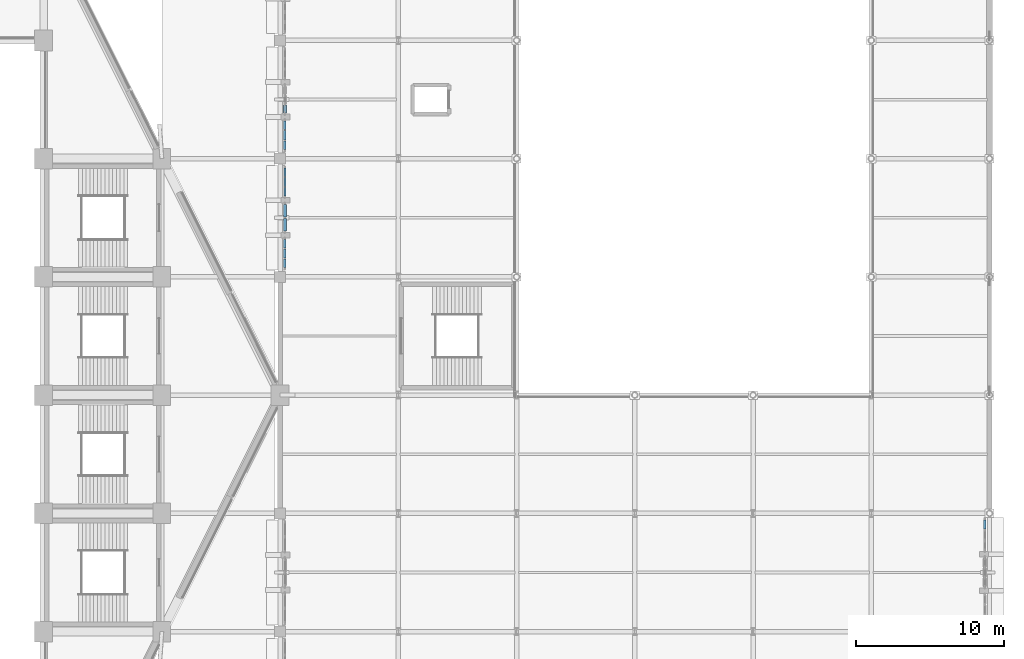
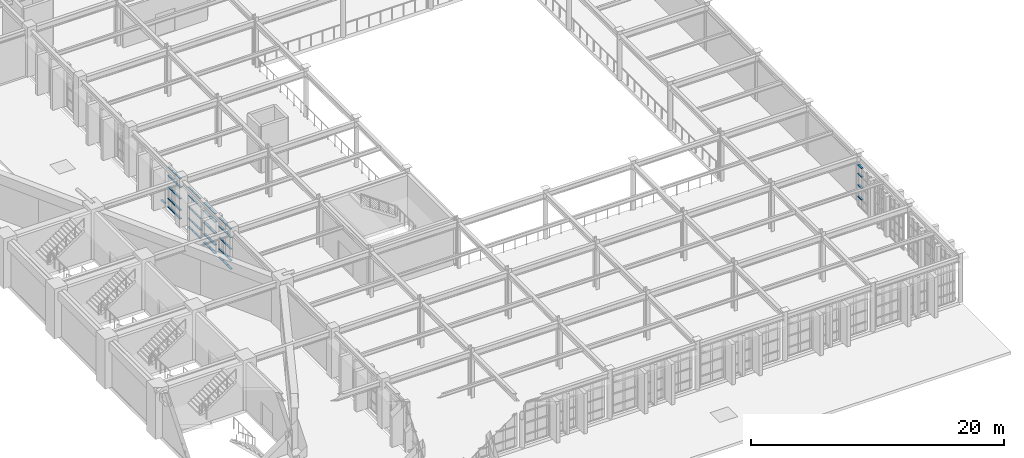
# One storey, part 79 of 155: 60 members, 6 elements without a shape of their own.
"""IFC4 building model written with IfcOpenShell, lengths in metres."""

from ifc_helpers import new_model, si_unit, direction, frame, origin, origin_2d, place, context, subcontext, project, spatial, rectangle, extrude, material, layer, layer_set, material_profile, profile_set, type_object, element, aggregate, save


model = new_model("IFC4")

# Units and contexts
model_context = context("Model", 3, precision=1e-05, world=origin(), true_north=direction((0.0, 1.0)))
body_context = subcontext(model_context, "Body", "Model", "MODEL_VIEW")
ifc_project = project(units=[si_unit("LENGTHUNIT", "METRE"), si_unit("AREAUNIT", "SQUARE_METRE"), si_unit("VOLUMEUNIT", "CUBIC_METRE"), si_unit("PLANEANGLEUNIT", "RADIAN"), si_unit("MASSUNIT", "GRAM", prefix="KILO")], contexts=[model_context])

# Site, building, storey
site_placement = place(None, origin())
site = spatial("IfcSite", under=ifc_project, at=site_placement, CompositionType="ELEMENT")
building_placement = place(site_placement, origin())
building = spatial("IfcBuilding", under=site, at=building_placement, Name="Tazarka Park Arena", CompositionType="ELEMENT")
storey_placement = place(building_placement, frame((0.0, 0.0, 5.39990234375)))
storey = spatial("IfcBuildingStorey", under=building, at=storey_placement, Name="L01", CompositionType="ELEMENT", Elevation=5.39990234375)

# Curtain wall, members
ifc_material_1 = material(Name="Aluminium and low-e glass", Category="aluminium")
ifc_layer_1 = layer(ifc_material_1, 0.179931640625, Name="Aluminium and low-e glass")
ifc_layer_set_1 = layer_set([ifc_layer_1], Name="Aluminium and low-e glass")
curtain_wall_type_1 = type_object("IfcCurtainWallType", Name="CW-09", PredefinedType="NOTDEFINED", material=ifc_layer_set_1)
curtain_wall_1_placement = place(storey_placement, origin())
curtain_wall_1 = element("IfcCurtainWall", 1, at=curtain_wall_1_placement, inside=storey, type_object=curtain_wall_type_1, Name="Curtain Wall CWA-L01-159", PredefinedType="NOTDEFINED")
ifc_material_2 = material(Name="Aluminium 6060-T66", Category="aluminium")
ifc_material_profile_1 = material_profile(ifc_material_2, rectangle(XDim=0.139892578125, YDim=0.06494140625, at=origin_2d()), Name="Aluminium 6060-T66")
ifc_profile_set_1 = profile_set([ifc_material_profile_1], Name="Aluminium 6060-T66")
member_type_1 = type_object("IfcMemberType", Name="CWT-01", PredefinedType="USERDEFINED", material=ifc_profile_set_1)
member_1_placement = place(storey_placement, frame((136.320068359375, 77.456787109375, 0.03271484375), z_axis=(0.0, 1.0, 0.0), x_axis=(-1.0, 0.0, 0.0)))
member_1 = element("IfcMember", 2, at=member_1_placement, type_object=member_type_1, Name="CW-09 transom 1.1", ObjectType="TRANSOM", PredefinedType="USERDEFINED", context=body_context, shape_type="SweptSolid", body=[
    extrude(rectangle(XDim=0.139892578125, YDim=0.06494140625, at=origin_2d()), origin(), (0.0, 0.0, 1.0), 0.5869140625),
])
member_2_placement = place(storey_placement, frame((136.320068359375, 77.456787109375, 0.85009765625), z_axis=(0.0, 1.0, 0.0), x_axis=(-1.0, 0.0, 0.0)))
member_2 = element("IfcMember", 3, at=member_2_placement, type_object=member_type_1, Name="CW-09 transom 1.2", ObjectType="TRANSOM", PredefinedType="USERDEFINED", context=body_context, shape_type="SweptSolid", body=[
    extrude(rectangle(XDim=0.139892578125, YDim=0.06494140625, at=origin_2d()), origin(), (0.0, 0.0, 1.0), 0.5869140625),
])
member_3_placement = place(storey_placement, frame((136.320068359375, 77.456787109375, 1.9501953125), z_axis=(0.0, 1.0, 0.0), x_axis=(-1.0, 0.0, 0.0)))
member_3 = element("IfcMember", 4, at=member_3_placement, type_object=member_type_1, Name="CW-09 transom 1.3", ObjectType="TRANSOM", PredefinedType="USERDEFINED", context=body_context, shape_type="SweptSolid", body=[
    extrude(rectangle(XDim=0.139892578125, YDim=0.06494140625, at=origin_2d()), origin(), (0.0, 0.0, 1.0), 0.5869140625),
])
member_4_placement = place(storey_placement, frame((136.320068359375, 77.456787109375, 3.050048828125), z_axis=(0.0, 1.0, 0.0), x_axis=(-1.0, 0.0, 0.0)))
member_4 = element("IfcMember", 5, at=member_4_placement, type_object=member_type_1, Name="CW-09 transom 1.4", ObjectType="TRANSOM", PredefinedType="USERDEFINED", context=body_context, shape_type="SweptSolid", body=[
    extrude(rectangle(XDim=0.139892578125, YDim=0.06494140625, at=origin_2d()), origin(), (0.0, 0.0, 1.0), 0.5869140625),
])
member_5_placement = place(storey_placement, frame((136.320068359375, 77.456787109375, 3.86767578125), z_axis=(0.0, 1.0, 0.0), x_axis=(-1.0, 0.0, 0.0)))
member_5 = element("IfcMember", 6, at=member_5_placement, type_object=member_type_1, Name="CW-09 transom 1.5", ObjectType="TRANSOM", PredefinedType="USERDEFINED", context=body_context, shape_type="SweptSolid", body=[
    extrude(rectangle(XDim=0.139892578125, YDim=0.06494140625, at=origin_2d()), origin(), (0.0, 0.0, 1.0), 0.5869140625),
])
member_6_placement = place(storey_placement, frame((136.320068359375, 78.108642578125, 0.03271484375), z_axis=(0.0, 1.0, 0.0), x_axis=(-1.0, 0.0, 0.0)))
member_6 = element("IfcMember", 7, at=member_6_placement, type_object=member_type_1, Name="CW-09 transom 2.1", ObjectType="TRANSOM", PredefinedType="USERDEFINED", context=body_context, shape_type="SweptSolid", body=[
    extrude(rectangle(XDim=0.139892578125, YDim=0.06494140625, at=origin_2d()), origin(), (0.0, 0.0, 1.0), 0.619384765625),
])
member_7_placement = place(storey_placement, frame((136.320068359375, 78.108642578125, 0.85009765625), z_axis=(0.0, 1.0, 0.0), x_axis=(-1.0, 0.0, 0.0)))
member_7 = element("IfcMember", 8, at=member_7_placement, type_object=member_type_1, Name="CW-09 transom 2.2", ObjectType="TRANSOM", PredefinedType="USERDEFINED", context=body_context, shape_type="SweptSolid", body=[
    extrude(rectangle(XDim=0.139892578125, YDim=0.06494140625, at=origin_2d()), origin(), (0.0, 0.0, 1.0), 0.619384765625),
])
member_8_placement = place(storey_placement, frame((136.320068359375, 78.108642578125, 1.9501953125), z_axis=(0.0, 1.0, 0.0), x_axis=(-1.0, 0.0, 0.0)))
member_8 = element("IfcMember", 9, at=member_8_placement, type_object=member_type_1, Name="CW-09 transom 2.3", ObjectType="TRANSOM", PredefinedType="USERDEFINED", context=body_context, shape_type="SweptSolid", body=[
    extrude(rectangle(XDim=0.139892578125, YDim=0.06494140625, at=origin_2d()), origin(), (0.0, 0.0, 1.0), 0.619384765625),
])
member_9_placement = place(storey_placement, frame((136.320068359375, 78.108642578125, 3.050048828125), z_axis=(0.0, 1.0, 0.0), x_axis=(-1.0, 0.0, 0.0)))
member_9 = element("IfcMember", 10, at=member_9_placement, type_object=member_type_1, Name="CW-09 transom 2.4", ObjectType="TRANSOM", PredefinedType="USERDEFINED", context=body_context, shape_type="SweptSolid", body=[
    extrude(rectangle(XDim=0.139892578125, YDim=0.06494140625, at=origin_2d()), origin(), (0.0, 0.0, 1.0), 0.619384765625),
])
member_10_placement = place(storey_placement, frame((136.320068359375, 78.108642578125, 3.86767578125), z_axis=(0.0, 1.0, 0.0), x_axis=(-1.0, 0.0, 0.0)))
member_10 = element("IfcMember", 11, at=member_10_placement, type_object=member_type_1, Name="CW-09 transom 2.5", ObjectType="TRANSOM", PredefinedType="USERDEFINED", context=body_context, shape_type="SweptSolid", body=[
    extrude(rectangle(XDim=0.139892578125, YDim=0.06494140625, at=origin_2d()), origin(), (0.0, 0.0, 1.0), 0.619384765625),
])
member_11_placement = place(storey_placement, frame((136.320068359375, 78.79296875, 0.03271484375), z_axis=(0.0, 1.0, 0.0), x_axis=(-1.0, 0.0, 0.0)))
member_11 = element("IfcMember", 12, at=member_11_placement, type_object=member_type_1, Name="CW-09 transom 3.1", ObjectType="TRANSOM", PredefinedType="USERDEFINED", context=body_context, shape_type="SweptSolid", body=[
    extrude(rectangle(XDim=0.139892578125, YDim=0.06494140625, at=origin_2d()), origin(), (0.0, 0.0, 1.0), 0.5869140625),
])
member_12_placement = place(storey_placement, frame((136.320068359375, 78.79296875, 0.85009765625), z_axis=(0.0, 1.0, 0.0), x_axis=(-1.0, 0.0, 0.0)))
member_12 = element("IfcMember", 13, at=member_12_placement, type_object=member_type_1, Name="CW-09 transom 3.2", ObjectType="TRANSOM", PredefinedType="USERDEFINED", context=body_context, shape_type="SweptSolid", body=[
    extrude(rectangle(XDim=0.139892578125, YDim=0.06494140625, at=origin_2d()), origin(), (0.0, 0.0, 1.0), 0.5869140625),
])
member_13_placement = place(storey_placement, frame((136.320068359375, 78.79296875, 1.9501953125), z_axis=(0.0, 1.0, 0.0), x_axis=(-1.0, 0.0, 0.0)))
member_13 = element("IfcMember", 14, at=member_13_placement, type_object=member_type_1, Name="CW-09 transom 3.3", ObjectType="TRANSOM", PredefinedType="USERDEFINED", context=body_context, shape_type="SweptSolid", body=[
    extrude(rectangle(XDim=0.139892578125, YDim=0.06494140625, at=origin_2d()), origin(), (0.0, 0.0, 1.0), 0.5869140625),
])
member_14_placement = place(storey_placement, frame((136.320068359375, 78.79296875, 3.050048828125), z_axis=(0.0, 1.0, 0.0), x_axis=(-1.0, 0.0, 0.0)))
member_14 = element("IfcMember", 15, at=member_14_placement, type_object=member_type_1, Name="CW-09 transom 3.4", ObjectType="TRANSOM", PredefinedType="USERDEFINED", context=body_context, shape_type="SweptSolid", body=[
    extrude(rectangle(XDim=0.139892578125, YDim=0.06494140625, at=origin_2d()), origin(), (0.0, 0.0, 1.0), 0.5869140625),
])
member_15_placement = place(storey_placement, frame((136.320068359375, 78.79296875, 3.86767578125), z_axis=(0.0, 1.0, 0.0), x_axis=(-1.0, 0.0, 0.0)))
member_15 = element("IfcMember", 16, at=member_15_placement, type_object=member_type_1, Name="CW-09 transom 3.5", ObjectType="TRANSOM", PredefinedType="USERDEFINED", context=body_context, shape_type="SweptSolid", body=[
    extrude(rectangle(XDim=0.139892578125, YDim=0.06494140625, at=origin_2d()), origin(), (0.0, 0.0, 1.0), 0.5869140625),
])
aggregate(curtain_wall_1, [member_1, member_2, member_3, member_4, member_5, member_6, member_7, member_8, member_9, member_10, member_11, member_12, member_13, member_14, member_15])

ifc_material_3 = material(Name="Aluminium and low-e glass", Category="aluminium")
ifc_layer_2 = layer(ifc_material_3, 0.179931640625, Name="Aluminium and low-e glass")
ifc_layer_set_2 = layer_set([ifc_layer_2], Name="Aluminium and low-e glass")
curtain_wall_type_2 = type_object("IfcCurtainWallType", Name="CW-04", PredefinedType="NOTDEFINED", material=ifc_layer_set_2)
curtain_wall_2_placement = place(storey_placement, origin())
curtain_wall_2 = element("IfcCurtainWall", 17, at=curtain_wall_2_placement, inside=storey, type_object=curtain_wall_type_2, Name="Curtain Wall CWA-L01-154", PredefinedType="NOTDEFINED")
ifc_material_4 = material(Name="Aluminium 6060-T66", Category="aluminium")
ifc_material_profile_2 = material_profile(ifc_material_4, rectangle(XDim=0.179931640625, YDim=0.06494140625, at=origin_2d()), Name="Aluminium 6060-T66")
ifc_profile_set_2 = profile_set([ifc_material_profile_2], Name="Aluminium 6060-T66")
member_type_2 = type_object("IfcMemberType", Name="CWT-02", PredefinedType="USERDEFINED", material=ifc_profile_set_2)
member_16_placement = place(storey_placement, frame((136.320068359375, 80.6201171875, 0.03271484375), z_axis=(0.0, 1.0, 0.0), x_axis=(-1.0, 0.0, 0.0)))
member_16 = element("IfcMember", 18, at=member_16_placement, type_object=member_type_2, Name="CW-04 transom 1.1", ObjectType="TRANSOM", PredefinedType="USERDEFINED", context=body_context, shape_type="SweptSolid", body=[
    extrude(rectangle(XDim=0.179931640625, YDim=0.06494140625, at=origin_2d()), origin(), (0.0, 0.0, 1.0), 0.5869140625),
])
member_17_placement = place(storey_placement, frame((136.320068359375, 80.6201171875, 0.85009765625), z_axis=(0.0, 1.0, 0.0), x_axis=(-1.0, 0.0, 0.0)))
member_17 = element("IfcMember", 19, at=member_17_placement, type_object=member_type_2, Name="CW-04 transom 1.2", ObjectType="TRANSOM", PredefinedType="USERDEFINED", context=body_context, shape_type="SweptSolid", body=[
    extrude(rectangle(XDim=0.179931640625, YDim=0.06494140625, at=origin_2d()), origin(), (0.0, 0.0, 1.0), 0.5869140625),
])
member_18_placement = place(storey_placement, frame((136.320068359375, 80.6201171875, 1.9501953125), z_axis=(0.0, 1.0, 0.0), x_axis=(-1.0, 0.0, 0.0)))
member_18 = element("IfcMember", 20, at=member_18_placement, type_object=member_type_2, Name="CW-04 transom 1.3", ObjectType="TRANSOM", PredefinedType="USERDEFINED", context=body_context, shape_type="SweptSolid", body=[
    extrude(rectangle(XDim=0.179931640625, YDim=0.06494140625, at=origin_2d()), origin(), (0.0, 0.0, 1.0), 0.5869140625),
])
member_19_placement = place(storey_placement, frame((136.320068359375, 80.6201171875, 3.050048828125), z_axis=(0.0, 1.0, 0.0), x_axis=(-1.0, 0.0, 0.0)))
member_19 = element("IfcMember", 21, at=member_19_placement, type_object=member_type_2, Name="CW-04 transom 1.4", ObjectType="TRANSOM", PredefinedType="USERDEFINED", context=body_context, shape_type="SweptSolid", body=[
    extrude(rectangle(XDim=0.179931640625, YDim=0.06494140625, at=origin_2d()), origin(), (0.0, 0.0, 1.0), 0.5869140625),
])
member_20_placement = place(storey_placement, frame((136.320068359375, 80.6201171875, 3.86767578125), z_axis=(0.0, 1.0, 0.0), x_axis=(-1.0, 0.0, 0.0)))
member_20 = element("IfcMember", 22, at=member_20_placement, type_object=member_type_2, Name="CW-04 transom 1.5", ObjectType="TRANSOM", PredefinedType="USERDEFINED", context=body_context, shape_type="SweptSolid", body=[
    extrude(rectangle(XDim=0.179931640625, YDim=0.06494140625, at=origin_2d()), origin(), (0.0, 0.0, 1.0), 0.5869140625),
])
member_21_placement = place(storey_placement, frame((136.320068359375, 81.27197265625, 0.03271484375), z_axis=(0.0, 1.0, 0.0), x_axis=(-1.0, 0.0, 0.0)))
member_21 = element("IfcMember", 23, at=member_21_placement, type_object=member_type_2, Name="CW-04 transom 2.1", ObjectType="TRANSOM", PredefinedType="USERDEFINED", context=body_context, shape_type="SweptSolid", body=[
    extrude(rectangle(XDim=0.179931640625, YDim=0.06494140625, at=origin_2d()), origin(), (0.0, 0.0, 1.0), 0.619384765625),
])
member_22_placement = place(storey_placement, frame((136.320068359375, 81.27197265625, 0.85009765625), z_axis=(0.0, 1.0, 0.0), x_axis=(-1.0, 0.0, 0.0)))
member_22 = element("IfcMember", 24, at=member_22_placement, type_object=member_type_2, Name="CW-04 transom 2.2", ObjectType="TRANSOM", PredefinedType="USERDEFINED", context=body_context, shape_type="SweptSolid", body=[
    extrude(rectangle(XDim=0.179931640625, YDim=0.06494140625, at=origin_2d()), origin(), (0.0, 0.0, 1.0), 0.619384765625),
])
member_23_placement = place(storey_placement, frame((136.320068359375, 81.27197265625, 1.9501953125), z_axis=(0.0, 1.0, 0.0), x_axis=(-1.0, 0.0, 0.0)))
member_23 = element("IfcMember", 25, at=member_23_placement, type_object=member_type_2, Name="CW-04 transom 2.3", ObjectType="TRANSOM", PredefinedType="USERDEFINED", context=body_context, shape_type="SweptSolid", body=[
    extrude(rectangle(XDim=0.179931640625, YDim=0.06494140625, at=origin_2d()), origin(), (0.0, 0.0, 1.0), 0.619384765625),
])
member_24_placement = place(storey_placement, frame((136.320068359375, 81.27197265625, 3.050048828125), z_axis=(0.0, 1.0, 0.0), x_axis=(-1.0, 0.0, 0.0)))
member_24 = element("IfcMember", 26, at=member_24_placement, type_object=member_type_2, Name="CW-04 transom 2.4", ObjectType="TRANSOM", PredefinedType="USERDEFINED", context=body_context, shape_type="SweptSolid", body=[
    extrude(rectangle(XDim=0.179931640625, YDim=0.06494140625, at=origin_2d()), origin(), (0.0, 0.0, 1.0), 0.619384765625),
])
member_25_placement = place(storey_placement, frame((136.320068359375, 81.27197265625, 3.86767578125), z_axis=(0.0, 1.0, 0.0), x_axis=(-1.0, 0.0, 0.0)))
member_25 = element("IfcMember", 27, at=member_25_placement, type_object=member_type_2, Name="CW-04 transom 2.5", ObjectType="TRANSOM", PredefinedType="USERDEFINED", context=body_context, shape_type="SweptSolid", body=[
    extrude(rectangle(XDim=0.179931640625, YDim=0.06494140625, at=origin_2d()), origin(), (0.0, 0.0, 1.0), 0.619384765625),
])
member_26_placement = place(storey_placement, frame((136.320068359375, 81.956298828125, 0.03271484375), z_axis=(0.0, 1.0, 0.0), x_axis=(-1.0, 0.0, 0.0)))
member_26 = element("IfcMember", 28, at=member_26_placement, type_object=member_type_2, Name="CW-04 transom 3.1", ObjectType="TRANSOM", PredefinedType="USERDEFINED", context=body_context, shape_type="SweptSolid", body=[
    extrude(rectangle(XDim=0.179931640625, YDim=0.06494140625, at=origin_2d()), origin(), (0.0, 0.0, 1.0), 0.5869140625),
])
member_27_placement = place(storey_placement, frame((136.320068359375, 81.956298828125, 0.85009765625), z_axis=(0.0, 1.0, 0.0), x_axis=(-1.0, 0.0, 0.0)))
member_27 = element("IfcMember", 29, at=member_27_placement, type_object=member_type_2, Name="CW-04 transom 3.2", ObjectType="TRANSOM", PredefinedType="USERDEFINED", context=body_context, shape_type="SweptSolid", body=[
    extrude(rectangle(XDim=0.179931640625, YDim=0.06494140625, at=origin_2d()), origin(), (0.0, 0.0, 1.0), 0.5869140625),
])
member_28_placement = place(storey_placement, frame((136.320068359375, 81.956298828125, 1.9501953125), z_axis=(0.0, 1.0, 0.0), x_axis=(-1.0, 0.0, 0.0)))
member_28 = element("IfcMember", 30, at=member_28_placement, type_object=member_type_2, Name="CW-04 transom 3.3", ObjectType="TRANSOM", PredefinedType="USERDEFINED", context=body_context, shape_type="SweptSolid", body=[
    extrude(rectangle(XDim=0.179931640625, YDim=0.06494140625, at=origin_2d()), origin(), (0.0, 0.0, 1.0), 0.5869140625),
])
member_29_placement = place(storey_placement, frame((136.320068359375, 81.956298828125, 3.050048828125), z_axis=(0.0, 1.0, 0.0), x_axis=(-1.0, 0.0, 0.0)))
member_29 = element("IfcMember", 31, at=member_29_placement, type_object=member_type_2, Name="CW-04 transom 3.4", ObjectType="TRANSOM", PredefinedType="USERDEFINED", context=body_context, shape_type="SweptSolid", body=[
    extrude(rectangle(XDim=0.179931640625, YDim=0.06494140625, at=origin_2d()), origin(), (0.0, 0.0, 1.0), 0.5869140625),
])
member_30_placement = place(storey_placement, frame((136.320068359375, 81.956298828125, 3.86767578125), z_axis=(0.0, 1.0, 0.0), x_axis=(-1.0, 0.0, 0.0)))
member_30 = element("IfcMember", 32, at=member_30_placement, type_object=member_type_2, Name="CW-04 transom 3.5", ObjectType="TRANSOM", PredefinedType="USERDEFINED", context=body_context, shape_type="SweptSolid", body=[
    extrude(rectangle(XDim=0.179931640625, YDim=0.06494140625, at=origin_2d()), origin(), (0.0, 0.0, 1.0), 0.5869140625),
])
aggregate(curtain_wall_2, [member_16, member_17, member_18, member_19, member_20, member_21, member_22, member_23, member_24, member_25, member_26, member_27, member_28, member_29, member_30])

ifc_material_5 = material(Name="Aluminium and low-e glass", Category="aluminium")
ifc_layer_3 = layer(ifc_material_5, 0.179931640625, Name="Aluminium and low-e glass")
ifc_layer_set_3 = layer_set([ifc_layer_3], Name="Aluminium and low-e glass")
curtain_wall_type_3 = type_object("IfcCurtainWallType", Name="CW-07", PredefinedType="NOTDEFINED", material=ifc_layer_set_3)
curtain_wall_3_placement = place(storey_placement, origin())
curtain_wall_3 = element("IfcCurtainWall", 33, at=curtain_wall_3_placement, inside=storey, type_object=curtain_wall_type_3, Name="Curtain Wall CWA-L01-157", PredefinedType="NOTDEFINED")
member_31_placement = place(storey_placement, frame((136.320068359375, 72.6201171875, 0.03271484375), z_axis=(0.0, 1.0, 0.0), x_axis=(-1.0, 0.0, 0.0)))
member_31 = element("IfcMember", 34, at=member_31_placement, type_object=member_type_2, Name="CW-07 transom 1.1", ObjectType="TRANSOM", PredefinedType="USERDEFINED", context=body_context, shape_type="SweptSolid", body=[
    extrude(rectangle(XDim=0.179931640625, YDim=0.06494140625, at=origin_2d()), origin(), (0.0, 0.0, 1.0), 0.5869140625),
])
member_32_placement = place(storey_placement, frame((136.320068359375, 72.6201171875, 0.85009765625), z_axis=(0.0, 1.0, 0.0), x_axis=(-1.0, 0.0, 0.0)))
member_32 = element("IfcMember", 35, at=member_32_placement, type_object=member_type_2, Name="CW-07 transom 1.2", ObjectType="TRANSOM", PredefinedType="USERDEFINED", context=body_context, shape_type="SweptSolid", body=[
    extrude(rectangle(XDim=0.179931640625, YDim=0.06494140625, at=origin_2d()), origin(), (0.0, 0.0, 1.0), 0.5869140625),
])
member_33_placement = place(storey_placement, frame((136.320068359375, 72.6201171875, 1.9501953125), z_axis=(0.0, 1.0, 0.0), x_axis=(-1.0, 0.0, 0.0)))
member_33 = element("IfcMember", 36, at=member_33_placement, type_object=member_type_2, Name="CW-07 transom 1.3", ObjectType="TRANSOM", PredefinedType="USERDEFINED", context=body_context, shape_type="SweptSolid", body=[
    extrude(rectangle(XDim=0.179931640625, YDim=0.06494140625, at=origin_2d()), origin(), (0.0, 0.0, 1.0), 0.5869140625),
])
member_34_placement = place(storey_placement, frame((136.320068359375, 72.6201171875, 3.050048828125), z_axis=(0.0, 1.0, 0.0), x_axis=(-1.0, 0.0, 0.0)))
member_34 = element("IfcMember", 37, at=member_34_placement, type_object=member_type_2, Name="CW-07 transom 1.4", ObjectType="TRANSOM", PredefinedType="USERDEFINED", context=body_context, shape_type="SweptSolid", body=[
    extrude(rectangle(XDim=0.179931640625, YDim=0.06494140625, at=origin_2d()), origin(), (0.0, 0.0, 1.0), 0.5869140625),
])
member_35_placement = place(storey_placement, frame((136.320068359375, 72.6201171875, 3.86767578125), z_axis=(0.0, 1.0, 0.0), x_axis=(-1.0, 0.0, 0.0)))
member_35 = element("IfcMember", 38, at=member_35_placement, type_object=member_type_2, Name="CW-07 transom 1.5", ObjectType="TRANSOM", PredefinedType="USERDEFINED", context=body_context, shape_type="SweptSolid", body=[
    extrude(rectangle(XDim=0.179931640625, YDim=0.06494140625, at=origin_2d()), origin(), (0.0, 0.0, 1.0), 0.5869140625),
])
member_36_placement = place(storey_placement, frame((136.320068359375, 73.27197265625, 0.03271484375), z_axis=(0.0, 1.0, 0.0), x_axis=(-1.0, 0.0, 0.0)))
member_36 = element("IfcMember", 39, at=member_36_placement, type_object=member_type_2, Name="CW-07 transom 2.1", ObjectType="TRANSOM", PredefinedType="USERDEFINED", context=body_context, shape_type="SweptSolid", body=[
    extrude(rectangle(XDim=0.179931640625, YDim=0.06494140625, at=origin_2d()), origin(), (0.0, 0.0, 1.0), 0.619384765625),
])
member_37_placement = place(storey_placement, frame((136.320068359375, 73.27197265625, 0.85009765625), z_axis=(0.0, 1.0, 0.0), x_axis=(-1.0, 0.0, 0.0)))
member_37 = element("IfcMember", 40, at=member_37_placement, type_object=member_type_2, Name="CW-07 transom 2.2", ObjectType="TRANSOM", PredefinedType="USERDEFINED", context=body_context, shape_type="SweptSolid", body=[
    extrude(rectangle(XDim=0.179931640625, YDim=0.06494140625, at=origin_2d()), origin(), (0.0, 0.0, 1.0), 0.619384765625),
])
member_38_placement = place(storey_placement, frame((136.320068359375, 73.27197265625, 1.9501953125), z_axis=(0.0, 1.0, 0.0), x_axis=(-1.0, 0.0, 0.0)))
member_38 = element("IfcMember", 41, at=member_38_placement, type_object=member_type_2, Name="CW-07 transom 2.3", ObjectType="TRANSOM", PredefinedType="USERDEFINED", context=body_context, shape_type="SweptSolid", body=[
    extrude(rectangle(XDim=0.179931640625, YDim=0.06494140625, at=origin_2d()), origin(), (0.0, 0.0, 1.0), 0.619384765625),
])
member_39_placement = place(storey_placement, frame((136.320068359375, 73.27197265625, 3.050048828125), z_axis=(0.0, 1.0, 0.0), x_axis=(-1.0, 0.0, 0.0)))
member_39 = element("IfcMember", 42, at=member_39_placement, type_object=member_type_2, Name="CW-07 transom 2.4", ObjectType="TRANSOM", PredefinedType="USERDEFINED", context=body_context, shape_type="SweptSolid", body=[
    extrude(rectangle(XDim=0.179931640625, YDim=0.06494140625, at=origin_2d()), origin(), (0.0, 0.0, 1.0), 0.619384765625),
])
member_40_placement = place(storey_placement, frame((136.320068359375, 73.27197265625, 3.86767578125), z_axis=(0.0, 1.0, 0.0), x_axis=(-1.0, 0.0, 0.0)))
member_40 = element("IfcMember", 43, at=member_40_placement, type_object=member_type_2, Name="CW-07 transom 2.5", ObjectType="TRANSOM", PredefinedType="USERDEFINED", context=body_context, shape_type="SweptSolid", body=[
    extrude(rectangle(XDim=0.179931640625, YDim=0.06494140625, at=origin_2d()), origin(), (0.0, 0.0, 1.0), 0.619384765625),
])
member_41_placement = place(storey_placement, frame((136.320068359375, 73.956298828125, 0.03271484375), z_axis=(0.0, 1.0, 0.0), x_axis=(-1.0, 0.0, 0.0)))
member_41 = element("IfcMember", 44, at=member_41_placement, type_object=member_type_2, Name="CW-07 transom 3.1", ObjectType="TRANSOM", PredefinedType="USERDEFINED", context=body_context, shape_type="SweptSolid", body=[
    extrude(rectangle(XDim=0.179931640625, YDim=0.06494140625, at=origin_2d()), origin(), (0.0, 0.0, 1.0), 0.5869140625),
])
member_42_placement = place(storey_placement, frame((136.320068359375, 73.956298828125, 0.85009765625), z_axis=(0.0, 1.0, 0.0), x_axis=(-1.0, 0.0, 0.0)))
member_42 = element("IfcMember", 45, at=member_42_placement, type_object=member_type_2, Name="CW-07 transom 3.2", ObjectType="TRANSOM", PredefinedType="USERDEFINED", context=body_context, shape_type="SweptSolid", body=[
    extrude(rectangle(XDim=0.179931640625, YDim=0.06494140625, at=origin_2d()), origin(), (0.0, 0.0, 1.0), 0.5869140625),
])
member_43_placement = place(storey_placement, frame((136.320068359375, 73.956298828125, 1.9501953125), z_axis=(0.0, 1.0, 0.0), x_axis=(-1.0, 0.0, 0.0)))
member_43 = element("IfcMember", 46, at=member_43_placement, type_object=member_type_2, Name="CW-07 transom 3.3", ObjectType="TRANSOM", PredefinedType="USERDEFINED", context=body_context, shape_type="SweptSolid", body=[
    extrude(rectangle(XDim=0.179931640625, YDim=0.06494140625, at=origin_2d()), origin(), (0.0, 0.0, 1.0), 0.5869140625),
])
member_44_placement = place(storey_placement, frame((136.320068359375, 73.956298828125, 3.050048828125), z_axis=(0.0, 1.0, 0.0), x_axis=(-1.0, 0.0, 0.0)))
member_44 = element("IfcMember", 47, at=member_44_placement, type_object=member_type_2, Name="CW-07 transom 3.4", ObjectType="TRANSOM", PredefinedType="USERDEFINED", context=body_context, shape_type="SweptSolid", body=[
    extrude(rectangle(XDim=0.179931640625, YDim=0.06494140625, at=origin_2d()), origin(), (0.0, 0.0, 1.0), 0.5869140625),
])
member_45_placement = place(storey_placement, frame((136.320068359375, 73.956298828125, 3.86767578125), z_axis=(0.0, 1.0, 0.0), x_axis=(-1.0, 0.0, 0.0)))
member_45 = element("IfcMember", 48, at=member_45_placement, type_object=member_type_2, Name="CW-07 transom 3.5", ObjectType="TRANSOM", PredefinedType="USERDEFINED", context=body_context, shape_type="SweptSolid", body=[
    extrude(rectangle(XDim=0.179931640625, YDim=0.06494140625, at=origin_2d()), origin(), (0.0, 0.0, 1.0), 0.5869140625),
])
aggregate(curtain_wall_3, [member_31, member_32, member_33, member_34, member_35, member_36, member_37, member_38, member_39, member_40, member_41, member_42, member_43, member_44, member_45])

curtain_wall_4_placement = place(storey_placement, origin())
curtain_wall_4 = element("IfcCurtainWall", 49, at=curtain_wall_4_placement, inside=storey, type_object=curtain_wall_type_3, Name="Curtain Wall CWA-L01-187", PredefinedType="NOTDEFINED")
member_46_placement = place(storey_placement, frame((183.679931640625, 55.5517578125, 0.85009765625), z_axis=(0.0, -1.0, 0.0), x_axis=(1.0, 0.0, 0.0)))
member_46 = element("IfcMember", 50, at=member_46_placement, type_object=member_type_2, Name="CW-07 transom 1.2", ObjectType="TRANSOM", PredefinedType="USERDEFINED", context=body_context, shape_type="SweptSolid", body=[
    extrude(rectangle(XDim=0.179931640625, YDim=0.06494140625, at=origin_2d()), origin(), (0.0, 0.0, 1.0), 0.625),
])
member_47_placement = place(storey_placement, frame((183.679931640625, 55.5517578125, 1.9501953125), z_axis=(0.0, -1.0, 0.0), x_axis=(1.0, 0.0, 0.0)))
member_47 = element("IfcMember", 51, at=member_47_placement, type_object=member_type_2, Name="CW-07 transom 1.3", ObjectType="TRANSOM", PredefinedType="USERDEFINED", context=body_context, shape_type="SweptSolid", body=[
    extrude(rectangle(XDim=0.179931640625, YDim=0.06494140625, at=origin_2d()), origin(), (0.0, 0.0, 1.0), 0.625),
])
member_48_placement = place(storey_placement, frame((183.679931640625, 55.5517578125, 3.050048828125), z_axis=(0.0, -1.0, 0.0), x_axis=(1.0, 0.0, 0.0)))
member_48 = element("IfcMember", 52, at=member_48_placement, type_object=member_type_2, Name="CW-07 transom 1.4", ObjectType="TRANSOM", PredefinedType="USERDEFINED", context=body_context, shape_type="SweptSolid", body=[
    extrude(rectangle(XDim=0.179931640625, YDim=0.06494140625, at=origin_2d()), origin(), (0.0, 0.0, 1.0), 0.625),
])
member_49_placement = place(storey_placement, frame((183.679931640625, 55.5517578125, 3.877685546875), z_axis=(0.0, -1.0, 0.0), x_axis=(1.0, 0.0, 0.0)))
member_49 = element("IfcMember", 53, at=member_49_placement, type_object=member_type_2, Name="CW-07 transom 1.5", ObjectType="TRANSOM", PredefinedType="USERDEFINED", context=body_context, shape_type="SweptSolid", body=[
    extrude(rectangle(XDim=0.179931640625, YDim=0.06494140625, at=origin_2d()), origin(), (0.0, 0.0, 1.0), 0.625),
])
aggregate(curtain_wall_4, [member_46, member_47, member_48, member_49])

# Curtain wall, member
ifc_material_6 = material(Name="Aluminium and low-e glass", Category="aluminium")
ifc_layer_4 = layer(ifc_material_6, 0.179931640625, Name="Aluminium and low-e glass")
ifc_layer_set_4 = layer_set([ifc_layer_4], Name="Aluminium and low-e glass")
curtain_wall_type_4 = type_object("IfcCurtainWallType", Name="CW-05", PredefinedType="NOTDEFINED", material=ifc_layer_set_4)
curtain_wall_5_placement = place(storey_placement, origin())
curtain_wall_5 = element("IfcCurtainWall", 54, at=curtain_wall_5_placement, inside=storey, type_object=curtain_wall_type_4, Name="Curtain Wall CWA-L01-155", PredefinedType="NOTDEFINED")
ifc_material_7 = material(Name="Aluminium 6060-T66", Category="aluminium")
ifc_material_profile_3 = material_profile(ifc_material_7, rectangle(XDim=0.2099609375, YDim=0.074951171875, at=origin_2d()), Name="Aluminium 6060-T66")
ifc_profile_set_3 = profile_set([ifc_material_profile_3], Name="Aluminium 6060-T66")
member_type_3 = type_object("IfcMemberType", Name="CWT-03", PredefinedType="USERDEFINED", material=ifc_profile_set_3)
member_50_placement = place(storey_placement, frame((136.320068359375, 83.103271484375, 0.03759765625), z_axis=(0.0, 1.0, 0.0), x_axis=(-1.0, 0.0, 0.0)))
member_50 = element("IfcMember", 55, at=member_50_placement, type_object=member_type_3, Name="CW-05 transom 1.1", ObjectType="TRANSOM", PredefinedType="USERDEFINED", context=body_context, shape_type="SweptSolid", body=[
    extrude(rectangle(XDim=0.2099609375, YDim=0.074951171875, at=origin_2d()), origin(), (0.0, 0.0, 1.0), 0.535400390625),
])
aggregate(curtain_wall_5, [member_50])

# Curtain wall, members
ifc_material_8 = material(Name="Aluminium and low-e glass", Category="aluminium")
ifc_layer_5 = layer(ifc_material_8, 0.179931640625, Name="Aluminium and low-e glass")
ifc_layer_set_5 = layer_set([ifc_layer_5], Name="Aluminium and low-e glass")
curtain_wall_type_5 = type_object("IfcCurtainWallType", Name="CW-08", PredefinedType="NOTDEFINED", material=ifc_layer_set_5)
curtain_wall_6_placement = place(storey_placement, origin())
curtain_wall_6 = element("IfcCurtainWall", 56, at=curtain_wall_6_placement, inside=storey, type_object=curtain_wall_type_5, Name="Curtain Wall CWA-L01-158", PredefinedType="NOTDEFINED")
member_51_placement = place(storey_placement, frame((136.320068359375, 75.103271484375, 0.03759765625), z_axis=(0.0, 1.0, 0.0), x_axis=(-1.0, 0.0, 0.0)))
member_51 = element("IfcMember", 57, at=member_51_placement, type_object=member_type_3, Name="CW-08 transom 1.1", ObjectType="TRANSOM", PredefinedType="USERDEFINED", context=body_context, shape_type="SweptSolid", body=[
    extrude(rectangle(XDim=0.2099609375, YDim=0.074951171875, at=origin_2d()), origin(), (0.0, 0.0, 1.0), 0.859130859375),
])
member_52_placement = place(storey_placement, frame((136.320068359375, 75.103271484375, 0.85009765625), z_axis=(0.0, 1.0, 0.0), x_axis=(-1.0, 0.0, 0.0)))
member_52 = element("IfcMember", 58, at=member_52_placement, type_object=member_type_3, Name="CW-08 transom 1.2", ObjectType="TRANSOM", PredefinedType="USERDEFINED", context=body_context, shape_type="SweptSolid", body=[
    extrude(rectangle(XDim=0.2099609375, YDim=0.074951171875, at=origin_2d()), origin(), (0.0, 0.0, 1.0), 0.859130859375),
])
member_53_placement = place(storey_placement, frame((136.320068359375, 75.103271484375, 1.9501953125), z_axis=(0.0, 1.0, 0.0), x_axis=(-1.0, 0.0, 0.0)))
member_53 = element("IfcMember", 59, at=member_53_placement, type_object=member_type_3, Name="CW-08 transom 1.3", ObjectType="TRANSOM", PredefinedType="USERDEFINED", context=body_context, shape_type="SweptSolid", body=[
    extrude(rectangle(XDim=0.2099609375, YDim=0.074951171875, at=origin_2d()), origin(), (0.0, 0.0, 1.0), 0.859130859375),
])
member_54_placement = place(storey_placement, frame((136.320068359375, 75.103271484375, 3.050048828125), z_axis=(0.0, 1.0, 0.0), x_axis=(-1.0, 0.0, 0.0)))
member_54 = element("IfcMember", 60, at=member_54_placement, type_object=member_type_3, Name="CW-08 transom 1.4", ObjectType="TRANSOM", PredefinedType="USERDEFINED", context=body_context, shape_type="SweptSolid", body=[
    extrude(rectangle(XDim=0.2099609375, YDim=0.074951171875, at=origin_2d()), origin(), (0.0, 0.0, 1.0), 0.859130859375),
])
member_55_placement = place(storey_placement, frame((136.320068359375, 75.103271484375, 3.862548828125), z_axis=(0.0, 1.0, 0.0), x_axis=(-1.0, 0.0, 0.0)))
member_55 = element("IfcMember", 61, at=member_55_placement, type_object=member_type_3, Name="CW-08 transom 1.5", ObjectType="TRANSOM", PredefinedType="USERDEFINED", context=body_context, shape_type="SweptSolid", body=[
    extrude(rectangle(XDim=0.2099609375, YDim=0.074951171875, at=origin_2d()), origin(), (0.0, 0.0, 1.0), 0.859130859375),
])
member_56_placement = place(storey_placement, frame((136.320068359375, 76.03759765625, 0.03759765625), z_axis=(0.0, 1.0, 0.0), x_axis=(-1.0, 0.0, 0.0)))
member_56 = element("IfcMember", 62, at=member_56_placement, type_object=member_type_3, Name="CW-08 transom 2.1", ObjectType="TRANSOM", PredefinedType="USERDEFINED", context=body_context, shape_type="SweptSolid", body=[
    extrude(rectangle(XDim=0.2099609375, YDim=0.074951171875, at=origin_2d()), origin(), (0.0, 0.0, 1.0), 0.859130859375),
])
member_57_placement = place(storey_placement, frame((136.320068359375, 76.03759765625, 0.85009765625), z_axis=(0.0, 1.0, 0.0), x_axis=(-1.0, 0.0, 0.0)))
member_57 = element("IfcMember", 63, at=member_57_placement, type_object=member_type_3, Name="CW-08 transom 2.2", ObjectType="TRANSOM", PredefinedType="USERDEFINED", context=body_context, shape_type="SweptSolid", body=[
    extrude(rectangle(XDim=0.2099609375, YDim=0.074951171875, at=origin_2d()), origin(), (0.0, 0.0, 1.0), 0.859130859375),
])
member_58_placement = place(storey_placement, frame((136.320068359375, 76.03759765625, 1.9501953125), z_axis=(0.0, 1.0, 0.0), x_axis=(-1.0, 0.0, 0.0)))
member_58 = element("IfcMember", 64, at=member_58_placement, type_object=member_type_3, Name="CW-08 transom 2.3", ObjectType="TRANSOM", PredefinedType="USERDEFINED", context=body_context, shape_type="SweptSolid", body=[
    extrude(rectangle(XDim=0.2099609375, YDim=0.074951171875, at=origin_2d()), origin(), (0.0, 0.0, 1.0), 0.859130859375),
])
member_59_placement = place(storey_placement, frame((136.320068359375, 76.03759765625, 3.050048828125), z_axis=(0.0, 1.0, 0.0), x_axis=(-1.0, 0.0, 0.0)))
member_59 = element("IfcMember", 65, at=member_59_placement, type_object=member_type_3, Name="CW-08 transom 2.4", ObjectType="TRANSOM", PredefinedType="USERDEFINED", context=body_context, shape_type="SweptSolid", body=[
    extrude(rectangle(XDim=0.2099609375, YDim=0.074951171875, at=origin_2d()), origin(), (0.0, 0.0, 1.0), 0.859130859375),
])
member_60_placement = place(storey_placement, frame((136.320068359375, 76.03759765625, 3.862548828125), z_axis=(0.0, 1.0, 0.0), x_axis=(-1.0, 0.0, 0.0)))
member_60 = element("IfcMember", 66, at=member_60_placement, type_object=member_type_3, Name="CW-08 transom 2.5", ObjectType="TRANSOM", PredefinedType="USERDEFINED", context=body_context, shape_type="SweptSolid", body=[
    extrude(rectangle(XDim=0.2099609375, YDim=0.074951171875, at=origin_2d()), origin(), (0.0, 0.0, 1.0), 0.859130859375),
])
aggregate(curtain_wall_6, [member_51, member_52, member_53, member_54, member_55, member_56, member_57, member_58, member_59, member_60])

save(model, "model.ifc")
